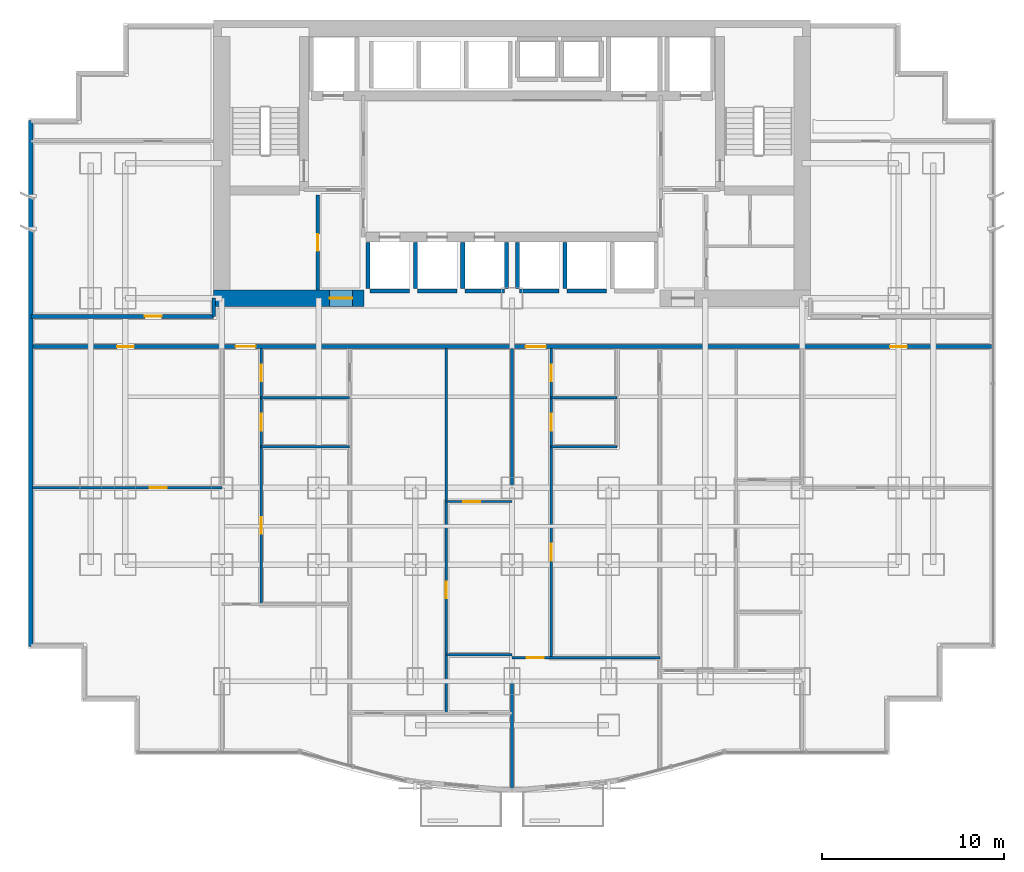
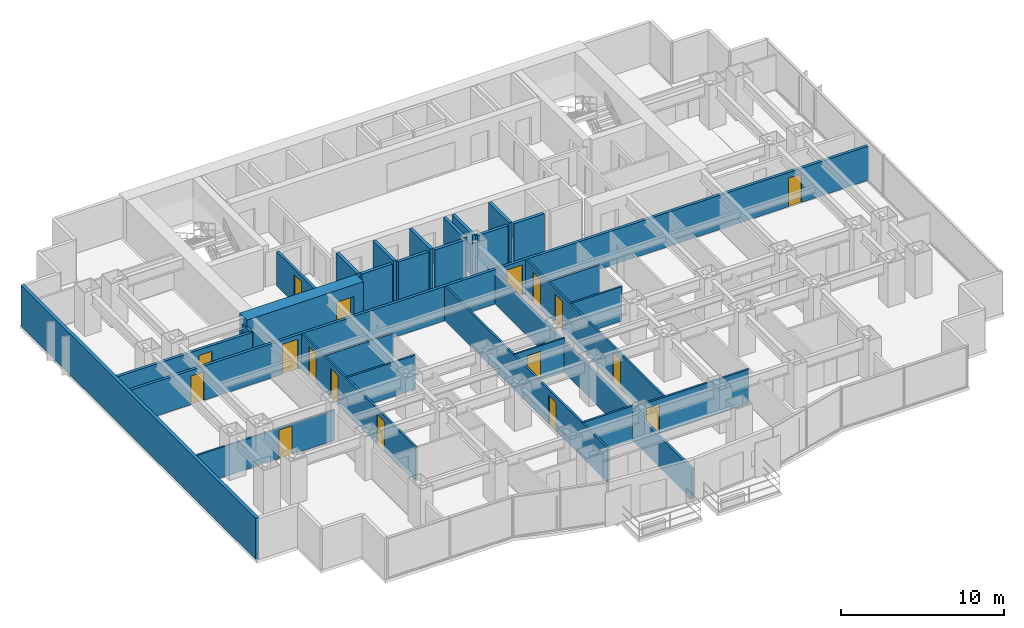
# One storey, part 7 of 12: 29 walls, 17 doors, 17 openings.
"""IFC4 building model written with IfcOpenShell, lengths in metres."""

import ifcopenshell
import ifcopenshell.guid

model = None  # the IFC model being written
_history = None  # IfcOwnerHistory: only IFC2X3 demands one
_inside = {}  # id of a spatial element -> (the spatial element, [elements in it])
_under = {}  # id of a project, library or spatial element -> (it, [spatial elements below it])
_declared = {}  # id of a project -> (the project, [libraries it declares])
_typed = {}  # id of a type object -> (the type object, [elements of that type])
_made_of = {}  # id of a material, layer set ... -> (it, [elements and type objects made of it])


def new_model(schema):
    """Start an empty IFC model of exactly this schema.

    Asked for "IFC4X3", IfcOpenShell would pick the latest addendum, in which some entities
    have other attributes; the version numbers below select the first issue.
    IFC2X3 requires an IfcOwnerHistory on every rooted entity: one is made here for all.
    """
    global model, _history
    if schema == "IFC4X3":
        model = ifcopenshell.file(schema_version=(4, 3, 0, 0))
    else:
        model = ifcopenshell.file(schema=schema)
    _inside.clear()
    _under.clear()
    _declared.clear()
    _typed.clear()
    _made_of.clear()
    _history = None
    if model.schema == "IFC2X3":
        org = make("IfcOrganization", Name="unknown")
        user = make(
            "IfcPersonAndOrganization",
            ThePerson=make("IfcPerson", FamilyName="unknown"),
            TheOrganization=org,
        )
        app = make(
            "IfcApplication",
            ApplicationDeveloper=org,
            Version="unknown",
            ApplicationFullName="unknown",
            ApplicationIdentifier="unknown",
        )
        _history = make(
            "IfcOwnerHistory",
            OwningUser=user,
            OwningApplication=app,
            ChangeAction="ADDED",
            CreationDate=0,
        )
    return model


def make(cls, **values):
    """One entity of the class cls with the attributes given. An attribute that is None is left unset."""
    return model.create_entity(
        cls, **{name: value for name, value in values.items() if value is not None}
    )


def rooted(cls, **values):
    """An entity with a GlobalId (a new one), such as an element, a storey or a relation."""
    return make(cls, GlobalId=ifcopenshell.guid.new(), OwnerHistory=_history, **values)


def si_unit(unit_type, name, prefix=None):
    """IfcSIUnit, for example si_unit("LENGTHUNIT", "METRE", prefix="MILLI")."""
    return make("IfcSIUnit", UnitType=unit_type, Prefix=prefix, Name=name)


def assignment(units):
    """IfcUnitAssignment: the units of a project."""
    return None if units is None else make("IfcUnitAssignment", Units=units)


def point(xyz):
    """IfcCartesianPoint."""
    return None if xyz is None else make("IfcCartesianPoint", Coordinates=xyz)


def direction(xyz):
    """IfcDirection."""
    return None if xyz is None else make("IfcDirection", DirectionRatios=xyz)


def frame(location, z_axis=None, x_axis=None):
    """IfcAxis2Placement3D, a coordinate frame: its origin and axes. An axis left out is left unset."""
    return make(
        "IfcAxis2Placement3D",
        Location=point(location),
        Axis=direction(z_axis),
        RefDirection=direction(x_axis),
    )


def frame_2d(location, x_axis=None):
    """IfcAxis2Placement2D, a coordinate frame in the plane: its origin and x axis."""
    return make(
        "IfcAxis2Placement2D", Location=point(location), RefDirection=direction(x_axis)
    )


def origin():
    """The frame at (0, 0, 0) with its axes left unset."""
    return frame((0.0, 0.0, 0.0))


def place(relative_to, where):
    """IfcLocalPlacement: puts the frame where relative to a parent placement (None: the world)."""
    return make(
        "IfcLocalPlacement", PlacementRelTo=relative_to, RelativePlacement=where
    )


def context(
    kind, dimensions, precision=None, world=None, true_north=None, identifier=None
):
    """IfcGeometricRepresentationContext, for example the 3D "Model" context."""
    return make(
        "IfcGeometricRepresentationContext",
        ContextIdentifier=identifier,
        ContextType=kind,
        CoordinateSpaceDimension=dimensions,
        Precision=precision,
        WorldCoordinateSystem=world,
        TrueNorth=true_north,
    )


def subcontext(parent, identifier, kind, view, scale=None):
    """IfcGeometricRepresentationSubContext, for example "Body" below "Model"."""
    return make(
        "IfcGeometricRepresentationSubContext",
        ContextIdentifier=identifier,
        ContextType=kind,
        ParentContext=parent,
        TargetScale=scale,
        TargetView=view,
    )


def project(units=None, contexts=None):
    """IfcProject with its units and contexts."""
    return rooted(
        "IfcProject",
        Name="project",
        RepresentationContexts=contexts,
        UnitsInContext=assignment(units),
    )


def spatial(cls, under=None, at=None, **own):
    """A site, building, storey or space (cls), placed at a placement, below another one or the project."""
    s = rooted(cls, ObjectPlacement=at, **own)
    if under is not None:
        _under.setdefault(under.id(), (under, []))[1].append(s)
    return s


def profile(cls, at=None, kind="AREA", **sizes):
    """A parametric profile (cls). Its sizes go by their IFC names, for example OverallWidth=200.0."""
    return make(cls, ProfileType=kind, Position=at, **sizes)


def rectangle(**sizes):
    """IfcRectangleProfileDef."""
    return profile("IfcRectangleProfileDef", **sizes)


def extrude(swept, where, along, depth):
    """IfcExtrudedAreaSolid: the profile swept, set in the frame where, extruded along a direction by depth."""
    return make(
        "IfcExtrudedAreaSolid",
        SweptArea=swept,
        Position=where,
        ExtrudedDirection=direction(along),
        Depth=depth,
    )


def shape(context_of_items, identifier, shape_type, items):
    """IfcShapeRepresentation: the items that make up one representation, for example the "Body"."""
    return make(
        "IfcShapeRepresentation",
        ContextOfItems=context_of_items,
        RepresentationIdentifier=identifier,
        RepresentationType=shape_type,
        Items=items,
    )


def material(Name=None, Category=None):
    """IfcMaterial."""
    return make("IfcMaterial", Name=Name, Category=Category)


def layer(
    of_material, thickness, ventilated=None, Name=None, Category=None, Priority=None
):
    """IfcMaterialLayer: one layer of a wall or slab, of a material (None: an air gap)."""
    return make(
        "IfcMaterialLayer",
        Material=of_material,
        LayerThickness=thickness,
        IsVentilated=ventilated,
        Name=Name,
        Category=Category,
        Priority=Priority,
    )


def layer_set(layers, Name=None):
    """IfcMaterialLayerSet."""
    return make("IfcMaterialLayerSet", MaterialLayers=layers, LayerSetName=Name)


def made_of(thing, what):
    """Note that an element or type object is made of a material, layer set ...; save() writes the relation."""
    if what is not None:
        _made_of.setdefault(what.id(), (what, []))[1].append(thing)
    return thing


def type_object(cls, material=None, **own):
    """A type object (cls), such as IfcWallType, which elements share."""
    return made_of(rooted(cls, **own), material)


def element(
    cls,
    number,
    at=None,
    inside=None,
    cuts=None,
    type_object=None,
    material=None,
    context=None,
    identifier="Body",
    shape_type=None,
    held_by="IfcProductDefinitionShape",
    body=None,
    shapes=None,
    **own,
):
    """One element of the class cls, such as IfcWall. Its Tag is "e" and its number.

    at: its placement. inside: the storey or other place that contains it. cuts: it is an
    opening in that element (IfcRelVoidsElement). A single representation is given by context,
    identifier, shape_type and body (its items); several are given by shapes. held_by: the class
    of the entity that holds the representations. save() writes the other relations.
    """
    e = rooted(cls, Tag="e%d" % number, ObjectPlacement=at, **own)
    if body is not None:
        shapes = [shape(context, identifier, shape_type, body)]
    if shapes is not None:
        e.Representation = make(held_by, Representations=shapes)
    if inside is not None:
        _inside.setdefault(inside.id(), (inside, []))[1].append(e)
    if cuts is not None:
        rooted(
            "IfcRelVoidsElement", RelatingBuildingElement=cuts, RelatedOpeningElement=e
        )
    if type_object is not None:
        _typed.setdefault(type_object.id(), (type_object, []))[1].append(e)
    return made_of(e, material)


def fill(opening, filler):
    """IfcRelFillsElement: the door or window that sits in an opening."""
    return rooted(
        "IfcRelFillsElement",
        RelatingOpeningElement=opening,
        RelatedBuildingElement=filler,
    )


def aggregate(whole, parts):
    """IfcRelAggregates: a whole, such as a stair, and the parts it consists of."""
    return rooted("IfcRelAggregates", RelatingObject=whole, RelatedObjects=parts)


def save(model, path):
    """Write the relations noted so far, then the file.

    IfcRelAggregates (storeys below a building ...), IfcRelContainedInSpatialStructure (elements
    in a storey), IfcRelDefinesByType, IfcRelAssociatesMaterial and IfcRelDeclares: one each for
    every whole, place, type object, material and project.
    """
    for whole, parts in _under.values():
        aggregate(whole, parts)
    for where, things in _inside.values():
        rooted(
            "IfcRelContainedInSpatialStructure",
            RelatedElements=things,
            RelatingStructure=where,
        )
    for kind, things in _typed.values():
        rooted("IfcRelDefinesByType", RelatedObjects=things, RelatingType=kind)
    for what, things in _made_of.values():
        rooted("IfcRelAssociatesMaterial", RelatedObjects=things, RelatingMaterial=what)
    for by, libraries in _declared.values():
        rooted("IfcRelDeclares", RelatingContext=by, RelatedDefinitions=libraries)
    model.write(path)


model = new_model("IFC4")

# Units and contexts
model_context = context("Model", 3, precision=1e-05, world=origin(), true_north=direction((0.0, 1.0)))
body_context = subcontext(model_context, "Body", "Model", "MODEL_VIEW")
ifc_project = project(units=[si_unit("LENGTHUNIT", "METRE"), si_unit("AREAUNIT", "SQUARE_METRE"), si_unit("VOLUMEUNIT", "CUBIC_METRE"), si_unit("PLANEANGLEUNIT", "RADIAN"), si_unit("MASSUNIT", "GRAM", prefix="KILO")], contexts=[model_context])

# Site, building, storey
site_placement = place(None, origin())
site = spatial("IfcSite", under=ifc_project, at=site_placement, CompositionType="ELEMENT")
building_placement = place(site_placement, origin())
building = spatial("IfcBuilding", under=site, at=building_placement, Name="Qianlan Lanfeng Residences", CompositionType="ELEMENT")
storey_placement = place(building_placement, frame((0.0, 0.0, 44.0)))
storey = spatial("IfcBuildingStorey", under=building, at=storey_placement, Name="L11", CompositionType="ELEMENT", Elevation=44.0)

# Wall, opening, door
ifc_material_1 = material(Name="Concrete C70", Category="concrete")
ifc_layer_1 = layer(ifc_material_1, 0.89990234375)
ifc_layer_set_1 = layer_set([ifc_layer_1], Name="Concrete C70")
wall_type_1 = type_object("IfcWallType", Name="CW-RC-900", PredefinedType="SHEAR", material=ifc_layer_set_1)
wall_1_placement = place(storey_placement, frame((10.14990234375, 25.199951171875, 0.0), z_axis=(0.0, 0.0, 1.0), x_axis=(1.0, 0.0, 0.0)))
wall_1 = element("IfcWall", 1, at=wall_1_placement, inside=storey, type_object=wall_type_1, Name="L11 Core Shear Wall SW", PredefinedType="SHEAR", context=body_context, shape_type="SweptSolid", body=[
    extrude(rectangle(XDim=8.25, YDim=0.89990234375, at=frame_2d((4.125, 0.0))), origin(), (0.0, 0.0, 1.0), 3.080078125),
])
opening_1_placement = place(wall_1_placement, frame((6.35009765625, 0.0, 0.0)))
opening_1 = element("IfcOpeningElement", 2, at=opening_1_placement, cuts=wall_1, Name="Opening L11-D01", PredefinedType="OPENING", context=body_context, shape_type="SweptSolid", body=[
    extrude(rectangle(XDim=1.25, YDim=2.199951171875, at=frame_2d((0.625, 1.10009765625))), frame((0.0, 0.4599609375, 0.0), z_axis=(0.0, -1.0, 0.0), x_axis=(1.0, 0.0, 0.0)), (0.0, 0.0, 1.0), 0.919921875),
])
ifc_material_2 = material(Name="Painted Galvanised Steel Fire Door", Category="steel")
door_type_1 = type_object("IfcDoorType", Name="DT-FFL", OperationType="NOTDEFINED", PredefinedType="DOOR", material=ifc_material_2)
door_1_placement = place(opening_1_placement, frame((1.25, 0.0, 0.0), z_axis=(0.0, 0.0, 1.0), x_axis=(-1.0, 0.0, 0.0)))
door_1 = element("IfcDoor", 3, at=door_1_placement, inside=storey, type_object=door_type_1, Name="L11 West Core Lobby Smoke Door L11-D01 (DT-FFL)", OperationType="SINGLE_SWING_RIGHT", OverallHeight=2.199951171875, OverallWidth=1.25, PredefinedType="DOOR", context=body_context, shape_type="SweptSolid", body=[
    extrude(rectangle(XDim=1.25, YDim=2.199951171875, at=frame_2d((0.625, 1.10009765625))), frame((0.0, 0.02490234375, 0.0), z_axis=(0.0, -1.0, 0.0), x_axis=(1.0, 0.0, 0.0)), (0.0, 0.0, 1.0), 0.050048828125),
])
fill(opening_1, door_1)

# Wall
ifc_material_3 = material(Name="Concrete C42", Category="concrete")
ifc_layer_2 = layer(ifc_material_3, 0.239990234375)
ifc_layer_set_2 = layer_set([ifc_layer_2], Name="Concrete C42")
wall_type_2 = type_object("IfcWallType", Name="EW-240", PredefinedType="SOLIDWALL", material=ifc_layer_set_2)
wall_2_placement = place(storey_placement, frame((0.1201171875, 34.929931640625, 0.0), z_axis=(0.0, 0.0, 1.0), x_axis=(0.0, -1.0, 0.0)))
element("IfcWall", 4, at=wall_2_placement, inside=storey, type_object=wall_type_2, Name="L11 Exterior Facade Spandrel Wall 21", PredefinedType="SOLIDWALL", context=body_context, shape_type="SweptSolid", body=[
    extrude(rectangle(XDim=28.809814453125, YDim=0.239990234375, at=frame_2d((14.40478515625, 0.0))), origin(), (0.0, 0.0, 1.0), 3.080078125),
])

# Wall, opening, door
ifc_material_4 = material(Name="Demountable Acoustic Framing Partition 110 mm")
ifc_layer_3 = layer(ifc_material_4, 0.110107421875)
ifc_layer_set_3 = layer_set([ifc_layer_3], Name="Demountable Acoustic Framing Partition 110 mm")
wall_type_3 = type_object("IfcWallType", Name="PW-110", PredefinedType="MOVABLE", material=ifc_layer_set_3)
wall_3_placement = place(storey_placement, frame((22.89990234375, 14.050048828125, 0.0), z_axis=(0.0, 0.0, 1.0), x_axis=(1.0, 0.0, 0.0)))
wall_3 = element("IfcWall", 5, at=wall_3_placement, inside=storey, type_object=wall_type_3, Name="L11 U01 Wardrobe Split", PredefinedType="MOVABLE", context=body_context, shape_type="SweptSolid", body=[
    extrude(rectangle(XDim=3.60009765625, YDim=0.110107421875, at=frame_2d((1.800048828125, 0.0))), origin(), (0.0, 0.0, 1.0), 2.570068359375),
])
opening_2_placement = place(wall_3_placement, frame((0.93994140625, 0.0, 0.0)))
opening_2 = element("IfcOpeningElement", 6, at=opening_2_placement, cuts=wall_3, Name="Opening L11-D24", PredefinedType="OPENING", context=body_context, shape_type="SweptSolid", body=[
    extrude(rectangle(XDim=0.919921875, YDim=2.14990234375, at=frame_2d((0.4599609375, 1.074951171875))), frame((0.0, 0.06494140625, 0.0), z_axis=(0.0, -1.0, 0.0), x_axis=(1.0, 0.0, 0.0)), (0.0, 0.0, 1.0), 0.130126953125),
])
ifc_material_5 = material(Name="Glazed Timber Kitchen/Study Door", Category="wood")
door_type_2 = type_object("IfcDoorType", Name="DT-INT", OperationType="NOTDEFINED", PredefinedType="DOOR", material=ifc_material_5)
door_2_placement = place(opening_2_placement, origin())
door_2 = element("IfcDoor", 7, at=door_2_placement, inside=storey, type_object=door_type_2, Name="L11 U01 Dressing Inner Door L11-D24 (DT-INT)", OperationType="SINGLE_SWING_RIGHT", OverallHeight=2.14990234375, OverallWidth=0.919921875, PredefinedType="DOOR", context=body_context, shape_type="SweptSolid", body=[
    extrude(rectangle(XDim=0.919921875, YDim=2.14990234375, at=frame_2d((0.4599609375, 1.074951171875))), frame((0.0, 0.02490234375, 0.0), z_axis=(0.0, -1.0, 0.0), x_axis=(1.0, 0.0, 0.0)), (0.0, 0.0, 1.0), 0.050048828125),
])
fill(opening_2, door_2)

# Wall, openings, doors
ifc_material_6 = material(Name="Moisture-Resistant Gypsum Partition 135 mm")
ifc_layer_4 = layer(ifc_material_6, 0.135009765625)
ifc_layer_set_4 = layer_set([ifc_layer_4], Name="Moisture-Resistant Gypsum Partition 135 mm")
wall_type_4 = type_object("IfcWallType", Name="PW-135", PredefinedType="PARTITIONING", material=ifc_layer_set_4)
wall_4_placement = place(storey_placement, frame((12.75, 8.419921875, 0.0), z_axis=(0.0, 0.0, 1.0), x_axis=(0.0, 1.0, 0.0)))
wall_4 = element("IfcWall", 8, at=wall_4_placement, inside=storey, type_object=wall_type_4, Name="L11 U01 Entry Hall Spine", PredefinedType="PARTITIONING", context=body_context, shape_type="SweptSolid", body=[
    extrude(rectangle(XDim=14.030029296875, YDim=0.135009765625, at=frame_2d((7.01513671875, 0.0))), origin(), (0.0, 0.0, 1.0), 2.570068359375),
])
opening_3_placement = place(wall_4_placement, frame((3.85498046875, 0.0, 0.0)))
opening_3 = element("IfcOpeningElement", 9, at=opening_3_placement, cuts=wall_4, Name="Opening L11-D18", PredefinedType="OPENING", context=body_context, shape_type="SweptSolid", body=[
    extrude(rectangle(XDim=0.919921875, YDim=2.14990234375, at=frame_2d((0.4599609375, 1.074951171875))), frame((0.0, 0.07763671875, 0.0), z_axis=(0.0, -1.0, 0.0), x_axis=(1.0, 0.0, 0.0)), (0.0, 0.0, 1.0), 0.155029296875),
])
opening_4_placement = place(wall_4_placement, frame((9.52001953125, 0.0, 0.0)))
opening_4 = element("IfcOpeningElement", 10, at=opening_4_placement, cuts=wall_4, Name="Opening L11-D19", PredefinedType="OPENING", context=body_context, shape_type="SweptSolid", body=[
    extrude(rectangle(XDim=0.919921875, YDim=2.14990234375, at=frame_2d((0.4599609375, 1.074951171875))), frame((0.0, 0.07763671875, 0.0), z_axis=(0.0, -1.0, 0.0), x_axis=(1.0, 0.0, 0.0)), (0.0, 0.0, 1.0), 0.155029296875),
])
opening_5_placement = place(wall_4_placement, frame((12.22998046875, 0.0, 0.0)))
opening_5 = element("IfcOpeningElement", 11, at=opening_5_placement, cuts=wall_4, Name="Opening L11-D20", PredefinedType="OPENING", context=body_context, shape_type="SweptSolid", body=[
    extrude(rectangle(XDim=0.89990234375, YDim=2.14990234375, at=frame_2d((0.449951171875, 1.074951171875))), frame((0.0, 0.07763671875, 0.0), z_axis=(0.0, -1.0, 0.0), x_axis=(1.0, 0.0, 0.0)), (0.0, 0.0, 1.0), 0.155029296875),
])
door_3_placement = place(opening_3_placement, origin())
door_3 = element("IfcDoor", 12, at=door_3_placement, inside=storey, type_object=door_type_2, Name="L11 U01 Study Door L11-D18 (DT-INT)", OperationType="SINGLE_SWING_RIGHT", OverallHeight=2.14990234375, OverallWidth=0.919921875, PredefinedType="DOOR", context=body_context, shape_type="SweptSolid", body=[
    extrude(rectangle(XDim=0.919921875, YDim=2.14990234375, at=frame_2d((0.4599609375, 1.074951171875))), frame((0.0, 0.02490234375, 0.0), z_axis=(0.0, -1.0, 0.0), x_axis=(1.0, 0.0, 0.0)), (0.0, 0.0, 1.0), 0.050048828125),
])
fill(opening_3, door_3)
door_4_placement = place(opening_4_placement, origin())
door_4 = element("IfcDoor", 13, at=door_4_placement, inside=storey, type_object=door_type_2, Name="L11 U01 Kitchen Door L11-D19 (DT-INT)", OperationType="SINGLE_SWING_LEFT", OverallHeight=2.14990234375, OverallWidth=0.919921875, PredefinedType="DOOR", context=body_context, shape_type="SweptSolid", body=[
    extrude(rectangle(XDim=0.919921875, YDim=2.14990234375, at=frame_2d((0.4599609375, 1.074951171875))), frame((0.0, 0.02490234375, 0.0), z_axis=(0.0, -1.0, 0.0), x_axis=(1.0, 0.0, 0.0)), (0.0, 0.0, 1.0), 0.050048828125),
])
fill(opening_4, door_4)
ifc_material_7 = material(Name="Moisture-Resistant Timber Leaf", Category="wood")
door_type_3 = type_object("IfcDoorType", Name="DT-WC", OperationType="NOTDEFINED", PredefinedType="DOOR", material=ifc_material_7)
door_5_placement = place(opening_5_placement, origin())
door_5 = element("IfcDoor", 14, at=door_5_placement, inside=storey, type_object=door_type_3, Name="L11 U01 Bathroom Door L11-D20 (DT-WC)", OperationType="SINGLE_SWING_RIGHT", OverallHeight=2.14990234375, OverallWidth=0.89990234375, PredefinedType="DOOR", context=body_context, shape_type="SweptSolid", body=[
    extrude(rectangle(XDim=0.89990234375, YDim=2.14990234375, at=frame_2d((0.449951171875, 1.074951171875))), frame((0.0, 0.02490234375, 0.0), z_axis=(0.0, -1.0, 0.0), x_axis=(1.0, 0.0, 0.0)), (0.0, 0.0, 1.0), 0.050048828125),
])
fill(opening_5, door_5)

# Walls
for number, where, z_axis, x_axis, name in (
    (15, (12.75, 17.050048828125, 0.0), (0.0, 0.0, 1.0), (1.0, 0.0, 0.0), "L11 U01 Kitchen South Wall"),
    (16, (12.75, 19.75, 0.0), (0.0, 0.0, 1.0), (1.0, 0.0, 0.0), "L11 U01 Bathroom South Wall"),
):
    element("IfcWall", number, at=place(storey_placement, frame(where, z_axis=z_axis, x_axis=x_axis)), inside=storey, type_object=wall_type_4, Name=name, PredefinedType="PARTITIONING", context=body_context, shape_type="SweptSolid", body=[
        extrude(rectangle(XDim=4.85009765625, YDim=0.135009765625, at=frame_2d((2.425048828125, 0.0))), origin(), (0.0, 0.0, 1.0), 2.570068359375),
    ])

# Wall, opening, door
wall_5_placement = place(storey_placement, frame((22.89990234375, 2.450927734375, 0.0), z_axis=(0.0, 0.0, 1.0), x_axis=(0.0, 1.0, 0.0)))
wall_5 = element("IfcWall", 17, at=wall_5_placement, inside=storey, type_object=wall_type_4, Name="L11 U01 Master Passage Wall", PredefinedType="PARTITIONING", context=body_context, shape_type="SweptSolid", body=[
    extrude(rectangle(XDim=19.9990234375, YDim=0.135009765625, at=frame_2d((9.99951171875, 0.0))), origin(), (0.0, 0.0, 1.0), 2.570068359375),
])
opening_6_placement = place(wall_5_placement, frame((6.2890625, 0.0, 0.0)))
opening_6 = element("IfcOpeningElement", 18, at=opening_6_placement, cuts=wall_5, Name="Opening L11-D23", PredefinedType="OPENING", context=body_context, shape_type="SweptSolid", body=[
    extrude(rectangle(XDim=0.919921875, YDim=2.14990234375, at=frame_2d((0.4599609375, 1.074951171875))), frame((0.0, 0.07763671875, 0.0), z_axis=(0.0, -1.0, 0.0), x_axis=(1.0, 0.0, 0.0)), (0.0, 0.0, 1.0), 0.155029296875),
])
door_6_placement = place(opening_6_placement, origin())
door_6 = element("IfcDoor", 19, at=door_6_placement, inside=storey, type_object=door_type_2, Name="L11 U01 Wardrobe Door L11-D23 (DT-INT)", OperationType="SINGLE_SWING_LEFT", OverallHeight=2.14990234375, OverallWidth=0.919921875, PredefinedType="DOOR", context=body_context, shape_type="SweptSolid", body=[
    extrude(rectangle(XDim=0.919921875, YDim=2.14990234375, at=frame_2d((0.4599609375, 1.074951171875))), frame((0.0, 0.02490234375, 0.0), z_axis=(0.0, -1.0, 0.0), x_axis=(1.0, 0.0, 0.0)), (0.0, 0.0, 1.0), 0.050048828125),
])
fill(opening_6, door_6)

# Wall
wall_6_placement = place(storey_placement, frame((22.89990234375, 5.65087890625, 0.0), z_axis=(0.0, 0.0, 1.0), x_axis=(1.0, 0.0, 0.0)))
element("IfcWall", 20, at=wall_6_placement, inside=storey, type_object=wall_type_4, Name="L11 U01 En-Suite North Wall", PredefinedType="PARTITIONING", context=body_context, shape_type="SweptSolid", body=[
    extrude(rectangle(XDim=3.60009765625, YDim=0.135009765625, at=frame_2d((1.800048828125, 0.0))), origin(), (0.0, 0.0, 1.0), 2.570068359375),
])

# Wall, opening, door
wall_7_placement = place(storey_placement, frame((26.5, 5.493896484375, 0.0), z_axis=(0.0, 0.0, 1.0), x_axis=(1.0, 0.0, 0.0)))
wall_7 = element("IfcWall", 21, at=wall_7_placement, inside=storey, type_object=wall_type_4, Name="L11 U02 Living Divider", PredefinedType="PARTITIONING", context=body_context, shape_type="SweptSolid", body=[
    extrude(rectangle(XDim=8.10009765625, YDim=0.135009765625, at=frame_2d((4.050048828125, 0.0))), origin(), (0.0, 0.0, 1.0), 2.570068359375),
])
opening_7_placement = place(wall_7_placement, frame((0.81494140625, 0.0, 0.0)))
opening_7 = element("IfcOpeningElement", 22, at=opening_7_placement, cuts=wall_7, Name="Opening L11-D27", PredefinedType="OPENING", context=body_context, shape_type="SweptSolid", body=[
    extrude(rectangle(XDim=0.919921875, YDim=2.14990234375, at=frame_2d((0.4599609375, 1.074951171875))), frame((0.0, 0.07763671875, 0.0), z_axis=(0.0, -1.0, 0.0), x_axis=(1.0, 0.0, 0.0)), (0.0, 0.0, 1.0), 0.155029296875),
])
door_7_placement = place(opening_7_placement, origin())
door_7 = element("IfcDoor", 23, at=door_7_placement, inside=storey, type_object=door_type_2, Name="L11 U02 Living Passage Door L11-D27 (DT-INT)", OperationType="SINGLE_SWING_LEFT", OverallHeight=2.14990234375, OverallWidth=0.919921875, PredefinedType="DOOR", context=body_context, shape_type="SweptSolid", body=[
    extrude(rectangle(XDim=0.919921875, YDim=2.14990234375, at=frame_2d((0.4599609375, 1.074951171875))), frame((0.0, 0.02490234375, 0.0), z_axis=(0.0, -1.0, 0.0), x_axis=(1.0, 0.0, 0.0)), (0.0, 0.0, 1.0), 0.050048828125),
])
fill(opening_7, door_7)

# Wall, openings, doors
wall_8_placement = place(storey_placement, frame((28.64990234375, 5.493896484375, 0.0), z_axis=(0.0, 0.0, 1.0), x_axis=(0.0, 1.0, 0.0)))
wall_8 = element("IfcWall", 24, at=wall_8_placement, inside=storey, type_object=wall_type_4, Name="L11 U02 Entry Hall Spine", PredefinedType="PARTITIONING", context=body_context, shape_type="SweptSolid", body=[
    extrude(rectangle(XDim=16.9560546875, YDim=0.135009765625, at=frame_2d((8.47802734375, 0.0))), origin(), (0.0, 0.0, 1.0), 2.570068359375),
])
opening_8_placement = place(wall_8_placement, frame((5.318115234375, 0.0, 0.0)))
opening_8 = element("IfcOpeningElement", 25, at=opening_8_placement, cuts=wall_8, Name="Opening L11-D28", PredefinedType="OPENING", context=body_context, shape_type="SweptSolid", body=[
    extrude(rectangle(XDim=0.919921875, YDim=2.14990234375, at=frame_2d((0.4599609375, 1.074951171875))), frame((0.0, 0.07763671875, 0.0), z_axis=(0.0, -1.0, 0.0), x_axis=(1.0, 0.0, 0.0)), (0.0, 0.0, 1.0), 0.155029296875),
])
opening_9_placement = place(wall_8_placement, frame((12.446044921875, 0.0, 0.0)))
opening_9 = element("IfcOpeningElement", 26, at=opening_9_placement, cuts=wall_8, Name="Opening L11-D29", PredefinedType="OPENING", context=body_context, shape_type="SweptSolid", body=[
    extrude(rectangle(XDim=0.919921875, YDim=2.14990234375, at=frame_2d((0.4599609375, 1.074951171875))), frame((0.0, 0.07763671875, 0.0), z_axis=(0.0, -1.0, 0.0), x_axis=(1.0, 0.0, 0.0)), (0.0, 0.0, 1.0), 0.155029296875),
])
opening_10_placement = place(wall_8_placement, frame((15.156005859375, 0.0, 0.0)))
opening_10 = element("IfcOpeningElement", 27, at=opening_10_placement, cuts=wall_8, Name="Opening L11-D30", PredefinedType="OPENING", context=body_context, shape_type="SweptSolid", body=[
    extrude(rectangle(XDim=0.89990234375, YDim=2.14990234375, at=frame_2d((0.449951171875, 1.074951171875))), frame((0.0, 0.07763671875, 0.0), z_axis=(0.0, -1.0, 0.0), x_axis=(1.0, 0.0, 0.0)), (0.0, 0.0, 1.0), 0.155029296875),
])
door_8_placement = place(opening_8_placement, origin())
door_8 = element("IfcDoor", 28, at=door_8_placement, inside=storey, type_object=door_type_2, Name="L11 U02 Study Door L11-D28 (DT-INT)", OperationType="SINGLE_SWING_RIGHT", OverallHeight=2.14990234375, OverallWidth=0.919921875, PredefinedType="DOOR", context=body_context, shape_type="SweptSolid", body=[
    extrude(rectangle(XDim=0.919921875, YDim=2.14990234375, at=frame_2d((0.4599609375, 1.074951171875))), frame((0.0, 0.02490234375, 0.0), z_axis=(0.0, -1.0, 0.0), x_axis=(1.0, 0.0, 0.0)), (0.0, 0.0, 1.0), 0.050048828125),
])
fill(opening_8, door_8)
door_9_placement = place(opening_9_placement, origin())
door_9 = element("IfcDoor", 29, at=door_9_placement, inside=storey, type_object=door_type_2, Name="L11 U02 Kitchen Door L11-D29 (DT-INT)", OperationType="SINGLE_SWING_LEFT", OverallHeight=2.14990234375, OverallWidth=0.919921875, PredefinedType="DOOR", context=body_context, shape_type="SweptSolid", body=[
    extrude(rectangle(XDim=0.919921875, YDim=2.14990234375, at=frame_2d((0.4599609375, 1.074951171875))), frame((0.0, 0.02490234375, 0.0), z_axis=(0.0, -1.0, 0.0), x_axis=(1.0, 0.0, 0.0)), (0.0, 0.0, 1.0), 0.050048828125),
])
fill(opening_9, door_9)
door_10_placement = place(opening_10_placement, origin())
door_10 = element("IfcDoor", 30, at=door_10_placement, inside=storey, type_object=door_type_3, Name="L11 U02 Bathroom Door L11-D30 (DT-WC)", OperationType="SINGLE_SWING_RIGHT", OverallHeight=2.14990234375, OverallWidth=0.89990234375, PredefinedType="DOOR", context=body_context, shape_type="SweptSolid", body=[
    extrude(rectangle(XDim=0.89990234375, YDim=2.14990234375, at=frame_2d((0.449951171875, 1.074951171875))), frame((0.0, 0.02490234375, 0.0), z_axis=(0.0, -1.0, 0.0), x_axis=(1.0, 0.0, 0.0)), (0.0, 0.0, 1.0), 0.050048828125),
])
fill(opening_10, door_10)

# Walls
for number, where, z_axis, x_axis, name in (
    (31, (28.64990234375, 17.050048828125, 0.0), (0.0, 0.0, 1.0), (1.0, 0.0, 0.0), "L11 U02 Kitchen South Wall"),
    (32, (28.64990234375, 19.75, 0.0), (0.0, 0.0, 1.0), (1.0, 0.0, 0.0), "L11 U02 Bathroom South Wall"),
):
    element("IfcWall", number, at=place(storey_placement, frame(where, z_axis=z_axis, x_axis=x_axis)), inside=storey, type_object=wall_type_4, Name=name, PredefinedType="PARTITIONING", context=body_context, shape_type="SweptSolid", body=[
        extrude(rectangle(XDim=3.60009765625, YDim=0.135009765625, at=frame_2d((1.800048828125, 0.0))), origin(), (0.0, 0.0, 1.0), 2.570068359375),
    ])

# Wall, opening, door
wall_9_placement = place(storey_placement, frame((0.219970703125, 14.800048828125, 0.0), z_axis=(0.0, 0.0, 1.0), x_axis=(1.0, 0.0, 0.0)))
wall_9 = element("IfcWall", 33, at=wall_9_placement, inside=storey, type_object=wall_type_4, Name="L11 SWP Mid Partition", PredefinedType="PARTITIONING", context=body_context, shape_type="SweptSolid", body=[
    extrude(rectangle(XDim=10.380126953125, YDim=0.135009765625, at=frame_2d((5.18994140625, 0.0))), origin(), (0.0, 0.0, 1.0), 2.27490234375),
])
opening_11_placement = place(wall_9_placement, frame((6.429931640625, 0.0, 0.0)))
opening_11 = element("IfcOpeningElement", 34, at=opening_11_placement, cuts=wall_9, Name="Opening L11-D35", PredefinedType="OPENING", context=body_context, shape_type="SweptSolid", body=[
    extrude(rectangle(XDim=0.919921875, YDim=2.14990234375, at=frame_2d((0.4599609375, 1.074951171875))), frame((0.0, 0.07763671875, 0.0), z_axis=(0.0, -1.0, 0.0), x_axis=(1.0, 0.0, 0.0)), (0.0, 0.0, 1.0), 0.155029296875),
])
door_11_placement = place(opening_11_placement, origin())
door_11 = element("IfcDoor", 35, at=door_11_placement, inside=storey, type_object=door_type_2, Name="L11 SWP Inner Door L11-D35 (DT-INT)", OperationType="SINGLE_SWING_LEFT", OverallHeight=2.14990234375, OverallWidth=0.919921875, PredefinedType="DOOR", context=body_context, shape_type="SweptSolid", body=[
    extrude(rectangle(XDim=0.919921875, YDim=2.14990234375, at=frame_2d((0.4599609375, 1.074951171875))), frame((0.0, 0.02490234375, 0.0), z_axis=(0.0, -1.0, 0.0), x_axis=(1.0, 0.0, 0.0)), (0.0, 0.0, 1.0), 0.050048828125),
])
fill(opening_11, door_11)

ifc_material_8 = material(Name="Double-Layer Acoustic Gypsum Stud Wall 180 mm")
ifc_layer_5 = layer(ifc_material_8, 0.179931640625)
ifc_layer_set_5 = layer_set([ifc_layer_5], Name="Double-Layer Acoustic Gypsum Stud Wall 180 mm")
wall_type_5 = type_object("IfcWallType", Name="PW-180", PredefinedType="PARTITIONING", material=ifc_layer_set_5)
wall_10_placement = place(storey_placement, frame((15.85009765625, 25.64990234375, 0.0), z_axis=(0.0, 0.0, 1.0), x_axis=(0.0, 1.0, 0.0)))
wall_10 = element("IfcWall", 36, at=wall_10_placement, inside=storey, type_object=wall_type_5, Name="L11 Core West Service Room Wall", PredefinedType="PARTITIONING", context=body_context, shape_type="SweptSolid", body=[
    extrude(rectangle(XDim=5.2001953125, YDim=0.179931640625, at=frame_2d((2.60009765625, 0.0))), origin(), (0.0, 0.0, 1.0), 2.570068359375),
])
opening_12_placement = place(wall_10_placement, frame((2.139892578125, 0.0, 0.0)))
opening_12 = element("IfcOpeningElement", 37, at=opening_12_placement, cuts=wall_10, Name="Opening L11-D09", PredefinedType="OPENING", context=body_context, shape_type="SweptSolid", body=[
    extrude(rectangle(XDim=0.919921875, YDim=2.14990234375, at=frame_2d((0.4599609375, 1.074951171875))), frame((0.0, 0.10009765625, 0.0), z_axis=(0.0, -1.0, 0.0), x_axis=(1.0, 0.0, 0.0)), (0.0, 0.0, 1.0), 0.199951171875),
])
door_12_placement = place(opening_12_placement, origin())
door_12 = element("IfcDoor", 38, at=door_12_placement, inside=storey, type_object=door_type_2, Name="L11 Storage Room Door L11-D09 (DT-INT)", OperationType="SINGLE_SWING_LEFT", OverallHeight=2.14990234375, OverallWidth=0.919921875, PredefinedType="DOOR", context=body_context, shape_type="SweptSolid", body=[
    extrude(rectangle(XDim=0.919921875, YDim=2.14990234375, at=frame_2d((0.4599609375, 1.074951171875))), frame((0.0, 0.02490234375, 0.0), z_axis=(0.0, -1.0, 0.0), x_axis=(1.0, 0.0, 0.0)), (0.0, 0.0, 1.0), 0.050048828125),
])
fill(opening_12, door_12)

# Wall
wall_11_placement = place(storey_placement, frame((26.5, -1.679931640625, 0.0), z_axis=(0.0, 0.0, 1.0), x_axis=(0.0, 1.0, 0.0)))
element("IfcWall", 39, at=wall_11_placement, inside=storey, type_object=wall_type_5, Name="L11 Inter-Tenancy Party Wall 2", PredefinedType="PARTITIONING", context=body_context, shape_type="SweptSolid", body=[
    extrude(rectangle(XDim=24.1298828125, YDim=0.179931640625, at=frame_2d((12.06494140625, 0.0))), origin(), (0.0, 0.0, 1.0), 2.27490234375),
])

# Wall, openings, doors
ifc_material_9 = material(Name="Autoclaved Aerated Concrete Blockwork 200 mm", Category="masonry")
ifc_layer_6 = layer(ifc_material_9, 0.199951171875)
ifc_layer_set_6 = layer_set([ifc_layer_6], Name="Autoclaved Aerated Concrete Blockwork 200 mm")
wall_type_6 = type_object("IfcWallType", Name="PW-200", PredefinedType="PARTITIONING", material=ifc_layer_set_6)
wall_12_placement = place(storey_placement, frame((0.1201171875, 22.550048828125, 0.0), z_axis=(0.0, 0.0, 1.0), x_axis=(1.0, 0.0, 0.0)))
wall_12 = element("IfcWall", 40, at=wall_12_placement, inside=storey, type_object=wall_type_6, Name="L11 Residential Corridor South Fire Wall", PredefinedType="PARTITIONING", context=body_context, shape_type="SweptSolid", body=[
    extrude(rectangle(XDim=52.759765625, YDim=0.199951171875, at=frame_2d((26.3798828125, 0.0))), origin(), (0.0, 0.0, 1.0), 2.570068359375),
])
opening_13_placement = place(wall_12_placement, frame((11.22998046875, 0.0, 0.0)))
opening_13 = element("IfcOpeningElement", 41, at=opening_13_placement, cuts=wall_12, Name="Opening L11-D15", PredefinedType="OPENING", context=body_context, shape_type="SweptSolid", body=[
    extrude(rectangle(XDim=1.10009765625, YDim=2.25, at=frame_2d((0.550048828125, 1.125))), frame((0.0, 0.10986328125, 0.0), z_axis=(0.0, -1.0, 0.0), x_axis=(1.0, 0.0, 0.0)), (0.0, 0.0, 1.0), 0.219970703125),
])
opening_14_placement = place(wall_12_placement, frame((27.1298828125, 0.0, 0.0)))
opening_14 = element("IfcOpeningElement", 42, at=opening_14_placement, cuts=wall_12, Name="Opening L11-D25", PredefinedType="OPENING", context=body_context, shape_type="SweptSolid", body=[
    extrude(rectangle(XDim=1.10009765625, YDim=2.25, at=frame_2d((0.550048828125, 1.125))), frame((0.0, 0.10986328125, 0.0), z_axis=(0.0, -1.0, 0.0), x_axis=(1.0, 0.0, 0.0)), (0.0, 0.0, 1.0), 0.219970703125),
])
opening_15_placement = place(wall_12_placement, frame((4.735107421875, 0.0, 0.0)))
opening_15 = element("IfcOpeningElement", 43, at=opening_15_placement, cuts=wall_12, Name="Opening L11-D36", PredefinedType="OPENING", context=body_context, shape_type="SweptSolid", body=[
    extrude(rectangle(XDim=0.919921875, YDim=2.14990234375, at=frame_2d((0.4599609375, 1.074951171875))), frame((0.0, 0.10986328125, 0.0), z_axis=(0.0, -1.0, 0.0), x_axis=(1.0, 0.0, 0.0)), (0.0, 0.0, 1.0), 0.219970703125),
])
opening_16_placement = place(wall_12_placement, frame((47.10498046875, 0.0, 0.0)))
opening_16 = element("IfcOpeningElement", 44, at=opening_16_placement, cuts=wall_12, Name="Opening L11-D38", PredefinedType="OPENING", context=body_context, shape_type="SweptSolid", body=[
    extrude(rectangle(XDim=0.919921875, YDim=2.14990234375, at=frame_2d((0.4599609375, 1.074951171875))), frame((0.0, 0.10986328125, 0.0), z_axis=(0.0, -1.0, 0.0), x_axis=(1.0, 0.0, 0.0)), (0.0, 0.0, 1.0), 0.219970703125),
])
door_13_placement = place(opening_15_placement, origin())
door_13 = element("IfcDoor", 45, at=door_13_placement, inside=storey, type_object=door_type_2, Name="L11 SWP Corridor Door L11-D36 (DT-INT)", OperationType="SINGLE_SWING_RIGHT", OverallHeight=2.14990234375, OverallWidth=0.919921875, PredefinedType="DOOR", context=body_context, shape_type="SweptSolid", body=[
    extrude(rectangle(XDim=0.919921875, YDim=2.14990234375, at=frame_2d((0.4599609375, 1.074951171875))), frame((0.0, 0.02490234375, 0.0), z_axis=(0.0, -1.0, 0.0), x_axis=(1.0, 0.0, 0.0)), (0.0, 0.0, 1.0), 0.050048828125),
])
fill(opening_15, door_13)
door_14_placement = place(opening_16_placement, origin())
door_14 = element("IfcDoor", 46, at=door_14_placement, inside=storey, type_object=door_type_2, Name="L11 SEP Corridor Door L11-D38 (DT-INT)", OperationType="SINGLE_SWING_RIGHT", OverallHeight=2.14990234375, OverallWidth=0.919921875, PredefinedType="DOOR", context=body_context, shape_type="SweptSolid", body=[
    extrude(rectangle(XDim=0.919921875, YDim=2.14990234375, at=frame_2d((0.4599609375, 1.074951171875))), frame((0.0, 0.02490234375, 0.0), z_axis=(0.0, -1.0, 0.0), x_axis=(1.0, 0.0, 0.0)), (0.0, 0.0, 1.0), 0.050048828125),
])
fill(opening_16, door_14)
ifc_material_10 = material(Name="Solid-Core Oak Veneer Fire Door")
door_type_4 = type_object("IfcDoorType", Name="DT-UNIT", OperationType="NOTDEFINED", PredefinedType="DOOR", material=ifc_material_10)
door_15_placement = place(opening_13_placement, frame((1.10009765625, 0.0, 0.0), z_axis=(0.0, 0.0, 1.0), x_axis=(-1.0, 0.0, 0.0)))
door_15 = element("IfcDoor", 47, at=door_15_placement, inside=storey, type_object=door_type_4, Name="L11 Apartment U01 Entrance Door L11-D15 (DT-UNIT)", OperationType="SINGLE_SWING_RIGHT", OverallHeight=2.25, OverallWidth=1.10009765625, PredefinedType="DOOR", context=body_context, shape_type="SweptSolid", body=[
    extrude(rectangle(XDim=1.10009765625, YDim=2.25, at=frame_2d((0.550048828125, 1.125))), frame((0.0, 0.02490234375, 0.0), z_axis=(0.0, -1.0, 0.0), x_axis=(1.0, 0.0, 0.0)), (0.0, 0.0, 1.0), 0.050048828125),
])
fill(opening_13, door_15)
door_16_placement = place(opening_14_placement, origin())
door_16 = element("IfcDoor", 48, at=door_16_placement, inside=storey, type_object=door_type_4, Name="L11 Apartment U02 Entrance Door L11-D25 (DT-UNIT)", OperationType="SINGLE_SWING_RIGHT", OverallHeight=2.25, OverallWidth=1.10009765625, PredefinedType="DOOR", context=body_context, shape_type="SweptSolid", body=[
    extrude(rectangle(XDim=1.10009765625, YDim=2.25, at=frame_2d((0.550048828125, 1.125))), frame((0.0, 0.02490234375, 0.0), z_axis=(0.0, -1.0, 0.0), x_axis=(1.0, 0.0, 0.0)), (0.0, 0.0, 1.0), 0.050048828125),
])
fill(opening_14, door_16)

# Wall, opening, door
wall_13_placement = place(storey_placement, frame((0.1201171875, 24.199951171875, 0.0), z_axis=(0.0, 0.0, 1.0), x_axis=(1.0, 0.0, 0.0)))
wall_13 = element("IfcWall", 49, at=wall_13_placement, inside=storey, type_object=wall_type_6, Name="L11 Corridor NW Wall", PredefinedType="PARTITIONING", context=body_context, shape_type="SweptSolid", body=[
    extrude(rectangle(XDim=10.02978515625, YDim=0.199951171875, at=frame_2d((5.014892578125, 0.0))), origin(), (0.0, 0.0, 1.0), 2.570068359375),
])
opening_17_placement = place(wall_13_placement, frame((6.2548828125, 0.0, 0.0)))
opening_17 = element("IfcOpeningElement", 50, at=opening_17_placement, cuts=wall_13, Name="Opening L11-D40", PredefinedType="OPENING", context=body_context, shape_type="SweptSolid", body=[
    extrude(rectangle(XDim=0.919921875, YDim=2.14990234375, at=frame_2d((0.4599609375, 1.074951171875))), frame((0.0, 0.10986328125, 0.0), z_axis=(0.0, -1.0, 0.0), x_axis=(1.0, 0.0, 0.0)), (0.0, 0.0, 1.0), 0.219970703125),
])
door_17_placement = place(opening_17_placement, origin())
door_17 = element("IfcDoor", 51, at=door_17_placement, inside=storey, type_object=door_type_2, Name="L11 WW Amenity Salon Door L11-D40 (DT-INT)", OperationType="SINGLE_SWING_RIGHT", OverallHeight=2.14990234375, OverallWidth=0.919921875, PredefinedType="DOOR", context=body_context, shape_type="SweptSolid", body=[
    extrude(rectangle(XDim=0.919921875, YDim=2.14990234375, at=frame_2d((0.4599609375, 1.074951171875))), frame((0.0, 0.02490234375, 0.0), z_axis=(0.0, -1.0, 0.0), x_axis=(1.0, 0.0, 0.0)), (0.0, 0.0, 1.0), 0.050048828125),
])
fill(opening_17, door_17)

# Walls
wall_14_placement = place(storey_placement, frame((10.14990234375, 24.199951171875, 0.0), z_axis=(0.0, 0.0, 1.0), x_axis=(0.0, 1.0, 0.0)))
element("IfcWall", 52, at=wall_14_placement, inside=storey, type_object=wall_type_6, Name="L11 NW Wing Core Return Wall", PredefinedType="PARTITIONING", context=body_context, shape_type="SweptSolid", body=[
    extrude(rectangle(XDim=1.0, YDim=0.199951171875, at=frame_2d((0.5, 0.0))), origin(), (0.0, 0.0, 1.0), 2.570068359375),
])
ifc_material_11 = material(Name="Concrete C49", Category="concrete")
ifc_layer_7 = layer(ifc_material_11, 0.219970703125)
ifc_layer_set_7 = layer_set([ifc_layer_7], Name="Concrete C49")
wall_type_7 = type_object("IfcWallType", Name="SHW-220", PredefinedType="SOLIDWALL", material=ifc_layer_set_7)
wall_15_placement = place(storey_placement, frame((18.60009765625, 25.719970703125, 0.0), z_axis=(0.0, 0.0, 1.0), x_axis=(0.0, 1.0, 0.0)))
element("IfcWall", 53, at=wall_15_placement, inside=storey, type_object=wall_type_7, Name="L11 Lift PL-L1 Shaft Wall W", PredefinedType="SOLIDWALL", context=body_context, shape_type="SweptSolid", body=[
    extrude(rectangle(XDim=2.530029296875, YDim=0.219970703125, at=frame_2d((1.26513671875, 0.0))), origin(), (0.0, 0.0, 1.0), 3.080078125),
])
wall_16_placement = place(storey_placement, frame((18.719970703125, 25.60009765625, 0.0), z_axis=(0.0, 0.0, 1.0), x_axis=(1.0, 0.0, 0.0)))
element("IfcWall", 54, at=wall_16_placement, inside=storey, type_object=wall_type_7, Name="L11 Lift PL-L1 Shaft Back Wall S", PredefinedType="SOLIDWALL", context=body_context, shape_type="SweptSolid", body=[
    extrude(rectangle(XDim=2.159912109375, YDim=0.219970703125, at=frame_2d((1.080078125, 0.0))), origin(), (0.0, 0.0, 1.0), 3.080078125),
])
wall_17_placement = place(storey_placement, frame((21.199951171875, 25.719970703125, 0.0), z_axis=(0.0, 0.0, 1.0), x_axis=(0.0, 1.0, 0.0)))
element("IfcWall", 55, at=wall_17_placement, inside=storey, type_object=wall_type_7, Name="L11 Lift PL-L2 Shaft Wall W", PredefinedType="SOLIDWALL", context=body_context, shape_type="SweptSolid", body=[
    extrude(rectangle(XDim=2.530029296875, YDim=0.219970703125, at=frame_2d((1.26513671875, 0.0))), origin(), (0.0, 0.0, 1.0), 3.080078125),
])
wall_18_placement = place(storey_placement, frame((21.320068359375, 25.60009765625, 0.0), z_axis=(0.0, 0.0, 1.0), x_axis=(1.0, 0.0, 0.0)))
element("IfcWall", 56, at=wall_18_placement, inside=storey, type_object=wall_type_7, Name="L11 Lift PL-L2 Shaft Back Wall S", PredefinedType="SOLIDWALL", context=body_context, shape_type="SweptSolid", body=[
    extrude(rectangle(XDim=2.159912109375, YDim=0.219970703125, at=frame_2d((1.080078125, 0.0))), origin(), (0.0, 0.0, 1.0), 3.080078125),
])
for number, where, z_axis, x_axis, name in (
    (57, (23.800048828125, 25.719970703125, 0.0), (0.0, 0.0, 1.0), (0.0, 1.0, 0.0), "L11 Lift PL-L3 Shaft Wall W"),
    (58, (26.199951171875, 25.719970703125, 0.0), (0.0, 0.0, 1.0), (0.0, 1.0, 0.0), "L11 Lift PL-L3 Shaft Wall E"),
):
    element("IfcWall", number, at=place(storey_placement, frame(where, z_axis=z_axis, x_axis=x_axis)), inside=storey, type_object=wall_type_7, Name=name, PredefinedType="SOLIDWALL", context=body_context, shape_type="SweptSolid", body=[
        extrude(rectangle(XDim=2.530029296875, YDim=0.219970703125, at=frame_2d((1.26513671875, 0.0))), origin(), (0.0, 0.0, 1.0), 3.080078125),
    ])
wall_19_placement = place(storey_placement, frame((23.919921875, 25.60009765625, 0.0), z_axis=(0.0, 0.0, 1.0), x_axis=(1.0, 0.0, 0.0)))
element("IfcWall", 59, at=wall_19_placement, inside=storey, type_object=wall_type_7, Name="L11 Lift PL-L3 Shaft Back Wall S", PredefinedType="SOLIDWALL", context=body_context, shape_type="SweptSolid", body=[
    extrude(rectangle(XDim=2.16015625, YDim=0.219970703125, at=frame_2d((1.080078125, 0.0))), origin(), (0.0, 0.0, 1.0), 3.080078125),
])
wall_20_placement = place(storey_placement, frame((26.800048828125, 25.719970703125, 0.0), z_axis=(0.0, 0.0, 1.0), x_axis=(0.0, 1.0, 0.0)))
element("IfcWall", 60, at=wall_20_placement, inside=storey, type_object=wall_type_7, Name="L11 Lift PL-M1 Shaft Wall W", PredefinedType="SOLIDWALL", context=body_context, shape_type="SweptSolid", body=[
    extrude(rectangle(XDim=2.530029296875, YDim=0.219970703125, at=frame_2d((1.26513671875, 0.0))), origin(), (0.0, 0.0, 1.0), 3.080078125),
])
wall_21_placement = place(storey_placement, frame((26.919921875, 25.60009765625, 0.0), z_axis=(0.0, 0.0, 1.0), x_axis=(1.0, 0.0, 0.0)))
element("IfcWall", 61, at=wall_21_placement, inside=storey, type_object=wall_type_7, Name="L11 Lift PL-M1 Shaft Back Wall S", PredefinedType="SOLIDWALL", context=body_context, shape_type="SweptSolid", body=[
    extrude(rectangle(XDim=2.16015625, YDim=0.219970703125, at=frame_2d((1.080078125, 0.0))), origin(), (0.0, 0.0, 1.0), 3.080078125),
])
wall_22_placement = place(storey_placement, frame((29.39990234375, 25.719970703125, 0.0), z_axis=(0.0, 0.0, 1.0), x_axis=(0.0, 1.0, 0.0)))
element("IfcWall", 62, at=wall_22_placement, inside=storey, type_object=wall_type_7, Name="L11 Lift PL-M2 Shaft Wall W", PredefinedType="SOLIDWALL", context=body_context, shape_type="SweptSolid", body=[
    extrude(rectangle(XDim=2.530029296875, YDim=0.219970703125, at=frame_2d((1.26513671875, 0.0))), origin(), (0.0, 0.0, 1.0), 3.080078125),
])
wall_23_placement = place(storey_placement, frame((29.52001953125, 25.60009765625, 0.0), z_axis=(0.0, 0.0, 1.0), x_axis=(1.0, 0.0, 0.0)))
element("IfcWall", 63, at=wall_23_placement, inside=storey, type_object=wall_type_7, Name="L11 Lift PL-M2 Shaft Back Wall S", PredefinedType="SOLIDWALL", context=body_context, shape_type="SweptSolid", body=[
    extrude(rectangle(XDim=2.159912109375, YDim=0.219970703125, at=frame_2d((1.080078125, 0.0))), origin(), (0.0, 0.0, 1.0), 3.080078125),
])

save(model, "model.ifc")
